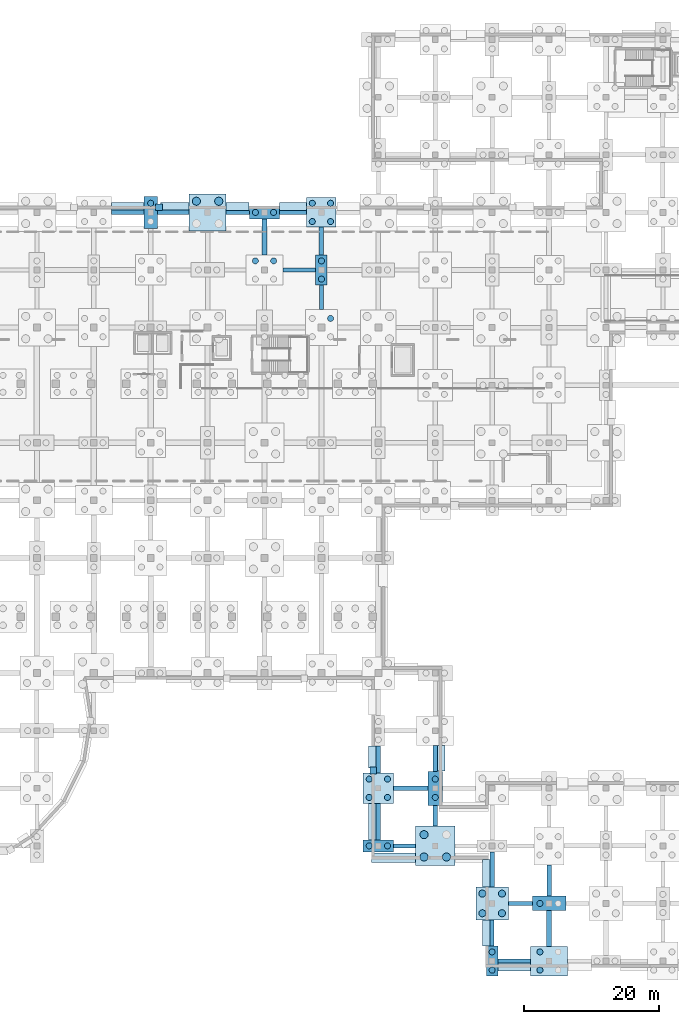
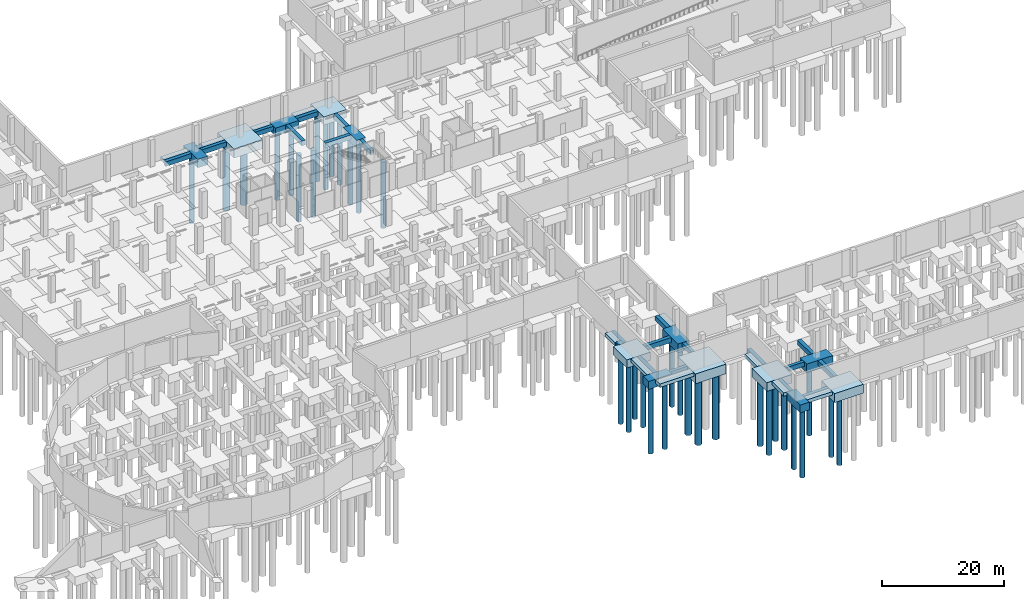
# One storey, part 11 of 34: 46 footings, 34 piles.
"""IFC4 building model written with IfcOpenShell, lengths in metres."""

from ifc_helpers import new_model, si_unit, direction, frame, origin, origin_2d, place, context, subcontext, project, spatial, rectangle, circle, extrude, material, material_profile, profile_set, type_object, element, save


model = new_model("IFC4")

# Units and contexts
model_context = context("Model", 3, precision=1e-05, world=origin(), true_north=direction((0.0, 1.0)))
body_context = subcontext(model_context, "Body", "Model", "MODEL_VIEW")
ifc_project = project(units=[si_unit("LENGTHUNIT", "METRE"), si_unit("AREAUNIT", "SQUARE_METRE"), si_unit("VOLUMEUNIT", "CUBIC_METRE"), si_unit("PLANEANGLEUNIT", "RADIAN"), si_unit("MASSUNIT", "GRAM", prefix="KILO")], contexts=[model_context])

# Site, building, storey
site_placement = place(None, origin())
site = spatial("IfcSite", under=ifc_project, at=site_placement, CompositionType="ELEMENT")
building_placement = place(site_placement, origin())
building = spatial("IfcBuilding", under=site, at=building_placement, Name="Solvento Point Concert Hall", CompositionType="ELEMENT")
storey_placement = place(building_placement, frame((0.0, 0.0, -5.39990234375)))
storey = spatial("IfcBuildingStorey", under=building, at=storey_placement, Name="B01", CompositionType="ELEMENT", Elevation=-5.39990234375)

# Piles
ifc_material_1 = material(Name="Concrete C40/50", Category="concrete")
ifc_material_profile_1 = material_profile(ifc_material_1, circle(Radius=0.52490234375, at=origin_2d()), Name="BP-1050")
ifc_profile_set_1 = profile_set([ifc_material_profile_1], Name="Concrete C40/50")
pile_type_1 = type_object("IfcPileType", Name="BoredPile_1050", PredefinedType="BORED", material=ifc_profile_set_1)
for number, where, z_axis, x_axis, name in (
    (1, (148.550048828125, 7.050048828125, -1.6201171875), (0.0, 0.0, -1.0), (1.0, 0.0, 0.0), "Bored pile BoredPile_1050 #517"),
    (2, (151.449951171875, 7.050048828125, -1.6201171875), (0.0, 0.0, -1.0), (1.0, 0.0, 0.0), "Bored pile BoredPile_1050 #518"),
    (3, (148.550048828125, 9.949951171875, -1.6201171875), (0.0, 0.0, -1.0), (1.0, 0.0, 0.0), "Bored pile BoredPile_1050 #519"),
    (4, (151.449951171875, 9.949951171875, -1.6201171875), (0.0, 0.0, -1.0), (1.0, 0.0, 0.0), "Bored pile BoredPile_1050 #520"),
):
    element("IfcPile", number, at=place(storey_placement, frame(where, z_axis=z_axis, x_axis=x_axis)), inside=storey, type_object=pile_type_1, Name=name, PredefinedType="BORED", context=body_context, shape_type="SweptSolid", body=[
        extrude(circle(Radius=0.52490234375, at=origin_2d()), origin(), (0.0, 0.0, 1.0), 13.47998046875),
    ])
ifc_material_2 = material(Name="Concrete C40/50", Category="concrete")
ifc_material_profile_2 = material_profile(ifc_material_2, circle(Radius=0.60009765625, at=origin_2d()), Name="BP-1200")
ifc_profile_set_2 = profile_set([ifc_material_profile_2], Name="Concrete C40/50")
pile_type_2 = type_object("IfcPileType", Name="BoredPile_1200", PredefinedType="BORED", material=ifc_profile_set_2)
for number, where, z_axis, x_axis, name in (
    (5, (106.35009765625, 112.14990234375, -1.75), (0.0, 0.0, -1.0), (1.0, 0.0, 0.0), "Bored pile BoredPile_1200 #393"),
    (6, (109.64990234375, 112.14990234375, -1.75), (0.0, 0.0, -1.0), (1.0, 0.0, 0.0), "Bored pile BoredPile_1200 #394"),
):
    element("IfcPile", number, at=place(storey_placement, frame(where, z_axis=z_axis, x_axis=x_axis)), inside=storey, type_object=pile_type_2, Name=name, PredefinedType="BORED", context=body_context, shape_type="SweptSolid", body=[
        extrude(circle(Radius=0.60009765625, at=origin_2d()), origin(), (0.0, 0.0, 1.0), 13.35009765625),
    ])
for number, where, z_axis, x_axis, name in (
    (7, (139.949951171875, 15.35009765625, -1.85009765625), (0.0, 0.0, -1.0), (1.0, 0.0, 0.0), "Bored pile BoredPile_1200 #475"),
    (8, (143.25, 15.35009765625, -1.85009765625), (0.0, 0.0, -1.0), (1.0, 0.0, 0.0), "Bored pile BoredPile_1200 #476"),
    (9, (139.949951171875, 18.64990234375, -1.85009765625), (0.0, 0.0, -1.0), (1.0, 0.0, 0.0), "Bored pile BoredPile_1200 #477"),
):
    element("IfcPile", number, at=place(storey_placement, frame(where, z_axis=z_axis, x_axis=x_axis)), inside=storey, type_object=pile_type_2, Name=name, PredefinedType="BORED", context=body_context, shape_type="SweptSolid", body=[
        extrude(circle(Radius=0.60009765625, at=origin_2d()), origin(), (0.0, 0.0, 1.0), 13.25),
    ])
ifc_material_3 = material(Name="Concrete C40/50", Category="concrete")
ifc_material_profile_3 = material_profile(ifc_material_3, circle(Radius=0.449951171875, at=origin_2d()), Name="BP-900")
ifc_profile_set_3 = profile_set([ifc_material_profile_3], Name="Concrete C40/50")
pile_type_3 = type_object("IfcPileType", Name="BoredPile_900", PredefinedType="BORED", material=ifc_profile_set_3)
pile_1_placement = place(storey_placement, frame((99.60009765625, 111.85009765625, -1.580078125), z_axis=(0.0, 0.0, -1.0), x_axis=(1.0, 0.0, 0.0)))
element("IfcPile", 10, at=pile_1_placement, inside=storey, type_object=pile_type_3, Name="Bored pile BoredPile_900 #372", PredefinedType="BORED", context=body_context, shape_type="SweptSolid", body=[
    extrude(circle(Radius=0.449951171875, at=origin_2d()), origin(), (0.0, 0.0, 1.0), 13.52001953125),
])
for number, where, z_axis, x_axis, name in (
    (11, (115.050048828125, 103.35009765625, -1.68017578125), (0.0, 0.0, -1.0), (1.0, 0.0, 0.0), "Bored pile BoredPile_900 #411"),
    (12, (117.75, 103.35009765625, -1.68017578125), (0.0, 0.0, -1.0), (1.0, 0.0, 0.0), "Bored pile BoredPile_900 #412"),
):
    element("IfcPile", number, at=place(storey_placement, frame(where, z_axis=z_axis, x_axis=x_axis)), inside=storey, type_object=pile_type_3, Name=name, PredefinedType="BORED", context=body_context, shape_type="SweptSolid", body=[
        extrude(circle(Radius=0.449951171875, at=origin_2d()), origin(), (0.0, 0.0, 1.0), 13.419921875),
    ])
for number, where, z_axis, x_axis, name in (
    (13, (115.050048828125, 110.5, -1.5400390625), (0.0, 0.0, -1.0), (1.0, 0.0, 0.0), "Bored pile BoredPile_900 #413"),
    (14, (117.75, 110.5, -1.5400390625), (0.0, 0.0, -1.0), (1.0, 0.0, 0.0), "Bored pile BoredPile_900 #414"),
):
    element("IfcPile", number, at=place(storey_placement, frame(where, z_axis=z_axis, x_axis=x_axis)), inside=storey, type_object=pile_type_3, Name=name, PredefinedType="BORED", context=body_context, shape_type="SweptSolid", body=[
        extrude(circle(Radius=0.449951171875, at=origin_2d()), origin(), (0.0, 0.0, 1.0), 13.56005859375),
    ])
pile_2_placement = place(storey_placement, frame((126.14990234375, 94.85009765625, -1.760009765625), z_axis=(0.0, 0.0, -1.0), x_axis=(1.0, 0.0, 0.0)))
element("IfcPile", 15, at=pile_2_placement, inside=storey, type_object=pile_type_3, Name="Bored pile BoredPile_900 #430", PredefinedType="BORED", context=body_context, shape_type="SweptSolid", body=[
    extrude(circle(Radius=0.449951171875, at=origin_2d()), origin(), (0.0, 0.0, 1.0), 13.340087890625),
])
for number, where, z_axis, x_axis, name in (
    (16, (124.800048828125, 100.64990234375, -1.47998046875), (0.0, 0.0, -1.0), (1.0, 0.0, 0.0), "Bored pile BoredPile_900 #431"),
    (17, (124.800048828125, 103.35009765625, -1.47998046875), (0.0, 0.0, -1.0), (1.0, 0.0, 0.0), "Bored pile BoredPile_900 #432"),
):
    element("IfcPile", number, at=place(storey_placement, frame(where, z_axis=z_axis, x_axis=x_axis)), inside=storey, type_object=pile_type_3, Name=name, PredefinedType="BORED", context=body_context, shape_type="SweptSolid", body=[
        extrude(circle(Radius=0.449951171875, at=origin_2d()), origin(), (0.0, 0.0, 1.0), 13.6201171875),
    ])
for number, where, z_axis, x_axis, name in (
    (18, (123.449951171875, 109.14990234375, -1.5), (0.0, 0.0, -1.0), (1.0, 0.0, 0.0), "Bored pile BoredPile_900 #433"),
    (19, (126.14990234375, 109.14990234375, -1.5), (0.0, 0.0, -1.0), (1.0, 0.0, 0.0), "Bored pile BoredPile_900 #434"),
    (20, (123.449951171875, 111.85009765625, -1.5), (0.0, 0.0, -1.0), (1.0, 0.0, 0.0), "Bored pile BoredPile_900 #435"),
    (21, (126.14990234375, 111.85009765625, -1.5), (0.0, 0.0, -1.0), (1.0, 0.0, 0.0), "Bored pile BoredPile_900 #436"),
    (22, (131.85009765625, 17.0, -1.5), (0.0, 0.0, -1.0), (1.0, 0.0, 0.0), "Bored pile BoredPile_900 #437"),
    (23, (134.550048828125, 17.0, -1.5), (0.0, 0.0, -1.0), (1.0, 0.0, 0.0), "Bored pile BoredPile_900 #438"),
):
    element("IfcPile", number, at=place(storey_placement, frame(where, z_axis=z_axis, x_axis=x_axis)), inside=storey, type_object=pile_type_3, Name=name, PredefinedType="BORED", context=body_context, shape_type="SweptSolid", body=[
        extrude(circle(Radius=0.449951171875, at=origin_2d()), origin(), (0.0, 0.0, 1.0), 13.60009765625),
    ])
for number, where, z_axis, x_axis, name in (
    (24, (131.85009765625, 24.14990234375, -1.550048828125), (0.0, 0.0, -1.0), (1.0, 0.0, 0.0), "Bored pile BoredPile_900 #439"),
    (25, (134.550048828125, 24.14990234375, -1.550048828125), (0.0, 0.0, -1.0), (1.0, 0.0, 0.0), "Bored pile BoredPile_900 #440"),
    (26, (131.85009765625, 26.85009765625, -1.550048828125), (0.0, 0.0, -1.0), (1.0, 0.0, 0.0), "Bored pile BoredPile_900 #441"),
    (27, (134.550048828125, 26.85009765625, -1.550048828125), (0.0, 0.0, -1.0), (1.0, 0.0, 0.0), "Bored pile BoredPile_900 #442"),
):
    element("IfcPile", number, at=place(storey_placement, frame(where, z_axis=z_axis, x_axis=x_axis)), inside=storey, type_object=pile_type_3, Name=name, PredefinedType="BORED", context=body_context, shape_type="SweptSolid", body=[
        extrude(circle(Radius=0.449951171875, at=origin_2d()), origin(), (0.0, 0.0, 1.0), 13.550048828125),
    ])
for number, where, z_axis, x_axis, name in (
    (28, (141.60009765625, 24.14990234375, -1.68017578125), (0.0, 0.0, -1.0), (1.0, 0.0, 0.0), "Bored pile BoredPile_900 #479"),
    (29, (141.60009765625, 26.85009765625, -1.68017578125), (0.0, 0.0, -1.0), (1.0, 0.0, 0.0), "Bored pile BoredPile_900 #480"),
):
    element("IfcPile", number, at=place(storey_placement, frame(where, z_axis=z_axis, x_axis=x_axis)), inside=storey, type_object=pile_type_3, Name=name, PredefinedType="BORED", context=body_context, shape_type="SweptSolid", body=[
        extrude(circle(Radius=0.449951171875, at=origin_2d()), origin(), (0.0, 0.0, 1.0), 13.419921875),
    ])
for number, where, z_axis, x_axis, name in (
    (30, (150.0, -1.35009765625, -1.47998046875), (0.0, 0.0, -1.0), (1.0, 0.0, 0.0), "Bored pile BoredPile_900 #515"),
    (31, (150.0, 1.35009765625, -1.47998046875), (0.0, 0.0, -1.0), (1.0, 0.0, 0.0), "Bored pile BoredPile_900 #516"),
):
    element("IfcPile", number, at=place(storey_placement, frame(where, z_axis=z_axis, x_axis=x_axis)), inside=storey, type_object=pile_type_3, Name=name, PredefinedType="BORED", context=body_context, shape_type="SweptSolid", body=[
        extrude(circle(Radius=0.449951171875, at=origin_2d()), origin(), (0.0, 0.0, 1.0), 13.6201171875),
    ])
for number, where, z_axis, x_axis, name in (
    (32, (157.050048828125, -1.35009765625, -1.68017578125), (0.0, 0.0, -1.0), (1.0, 0.0, 0.0), "Bored pile BoredPile_900 #553"),
    (33, (157.050048828125, 1.35009765625, -1.68017578125), (0.0, 0.0, -1.0), (1.0, 0.0, 0.0), "Bored pile BoredPile_900 #555"),
):
    element("IfcPile", number, at=place(storey_placement, frame(where, z_axis=z_axis, x_axis=x_axis)), inside=storey, type_object=pile_type_3, Name=name, PredefinedType="BORED", context=body_context, shape_type="SweptSolid", body=[
        extrude(circle(Radius=0.449951171875, at=origin_2d()), origin(), (0.0, 0.0, 1.0), 13.419921875),
    ])
pile_3_placement = place(storey_placement, frame((157.050048828125, 8.5, -1.650146484375), z_axis=(0.0, 0.0, -1.0), x_axis=(1.0, 0.0, 0.0)))
element("IfcPile", 34, at=pile_3_placement, inside=storey, type_object=pile_type_3, Name="Bored pile BoredPile_900 #557", PredefinedType="BORED", context=body_context, shape_type="SweptSolid", body=[
    extrude(circle(Radius=0.449951171875, at=origin_2d()), origin(), (0.0, 0.0, 1.0), 13.449951171875),
])

# Footings
ifc_material_4 = material(Name="Concrete C40/50", Category="concrete")
footing_type_1 = type_object("IfcFootingType", Name="PileCap_2B", PredefinedType="PILE_CAP", material=ifc_material_4)
for number, where, z_axis, x_axis, name in (
    (35, (124.800048828125, 102.0, -1.580078125), (0.0, 0.0, 1.0), (1.0, 0.0, 0.0), "Pile cap PC-2B at G-16-N"),
    (36, (150.0, 0.0, -1.580078125), (0.0, 0.0, 1.0), (1.0, 0.0, 0.0), "Pile cap PC-2B at G-19-A"),
):
    element("IfcFooting", number, at=place(storey_placement, frame(where, z_axis=z_axis, x_axis=x_axis)), inside=storey, type_object=footing_type_1, Name=name, PredefinedType="PILE_CAP", context=body_context, shape_type="SweptSolid", body=[
        extrude(rectangle(XDim=1.719970703125, YDim=4.3798828125, at=origin_2d()), origin(), (0.0, 0.0, 1.0), 1.580078125),
    ])
ifc_material_5 = material(Name="Concrete C40/50", Category="concrete")
footing_type_2 = type_object("IfcFootingType", Name="PileCap_2C", PredefinedType="PILE_CAP", material=ifc_material_5)
footing_1_placement = place(storey_placement, frame((133.199951171875, 17.0, -1.60009765625), z_axis=(0.0, 0.0, 1.0), x_axis=(1.0, 0.0, 0.0)))
element("IfcFooting", 37, at=footing_1_placement, inside=storey, type_object=footing_type_2, Name="Pile cap PC-2C at G-17-C", PredefinedType="PILE_CAP", context=body_context, shape_type="SweptSolid", body=[
    extrude(rectangle(XDim=4.4599609375, YDim=1.780029296875, at=origin_2d()), origin(), (0.0, 0.0, 1.0), 1.60009765625),
])
ifc_material_6 = material(Name="Concrete C40/50", Category="concrete")
footing_type_3 = type_object("IfcFootingType", Name="PileCap_2F", PredefinedType="PILE_CAP", material=ifc_material_6)
footing_2_placement = place(storey_placement, frame((99.60009765625, 110.5, -1.68017578125), z_axis=(0.0, 0.0, 1.0), x_axis=(1.0, 0.0, 0.0)))
element("IfcFooting", 38, at=footing_2_placement, inside=storey, type_object=footing_type_3, Name="Pile cap PC-2F at G-13-P", PredefinedType="PILE_CAP", context=body_context, shape_type="SweptSolid", body=[
    extrude(rectangle(XDim=1.9599609375, YDim=4.699951171875, at=origin_2d()), origin(), (0.0, 0.0, 1.0), 1.679931640625),
])
ifc_material_7 = material(Name="Concrete C40/50", Category="concrete")
footing_type_4 = type_object("IfcFootingType", Name="PileCap_2J", PredefinedType="PILE_CAP", material=ifc_material_7)
footing_3_placement = place(storey_placement, frame((158.39990234375, 8.5, -1.75), z_axis=(0.0, 0.0, 1.0), x_axis=(1.0, 0.0, 0.0)))
element("IfcFooting", 39, at=footing_3_placement, inside=storey, type_object=footing_type_4, Name="Pile cap PC-2J at G-20-B", PredefinedType="PILE_CAP", context=body_context, shape_type="SweptSolid", body=[
    extrude(rectangle(XDim=4.93994140625, YDim=2.139892578125, at=origin_2d()), origin(), (0.0, 0.0, 1.0), 1.75),
])
ifc_material_8 = material(Name="Concrete C40/50", Category="concrete")
footing_type_5 = type_object("IfcFootingType", Name="PileCap_2K", PredefinedType="PILE_CAP", material=ifc_material_8)
footing_4_placement = place(storey_placement, frame((141.60009765625, 25.5, -1.7802734375), z_axis=(0.0, 0.0, 1.0), x_axis=(1.0, 0.0, 0.0)))
element("IfcFooting", 40, at=footing_4_placement, inside=storey, type_object=footing_type_5, Name="Pile cap PC-2K at G-18-D", PredefinedType="PILE_CAP", context=body_context, shape_type="SweptSolid", body=[
    extrude(rectangle(XDim=2.199951171875, YDim=5.02001953125, at=origin_2d()), origin(), (0.0, 0.0, 1.0), 1.780029296875),
])
ifc_material_9 = material(Name="Concrete C40/50", Category="concrete")
footing_type_6 = type_object("IfcFootingType", Name="PileCap_2N", PredefinedType="PILE_CAP", material=ifc_material_9)
footing_5_placement = place(storey_placement, frame((116.39990234375, 110.5, -1.64013671875), z_axis=(0.0, 0.0, 1.0), x_axis=(1.0, 0.0, 0.0)))
element("IfcFooting", 41, at=footing_5_placement, inside=storey, type_object=footing_type_6, Name="Pile cap PC-2N at G-15-P", PredefinedType="PILE_CAP", context=body_context, shape_type="SweptSolid", body=[
    extrude(rectangle(XDim=4.39990234375, YDim=1.93994140625, at=origin_2d()), origin(), (0.0, 0.0, 1.0), 1.639892578125),
])
ifc_material_10 = material(Name="Concrete C40/50", Category="concrete")
footing_type_7 = type_object("IfcFootingType", Name="PileCap_4A", PredefinedType="PILE_CAP", material=ifc_material_10)
footing_6_placement = place(storey_placement, frame((124.800048828125, 110.5, -1.60009765625), z_axis=(0.0, 0.0, 1.0), x_axis=(1.0, 0.0, 0.0)))
element("IfcFooting", 42, at=footing_6_placement, inside=storey, type_object=footing_type_7, Name="Pile cap PC-4A at G-16-P", PredefinedType="PILE_CAP", context=body_context, shape_type="SweptSolid", body=[
    extrude(rectangle(XDim=4.35009765625, YDim=4.35009765625, at=origin_2d()), origin(), (0.0, 0.0, 1.0), 1.60009765625),
])
ifc_material_11 = material(Name="Concrete C40/50", Category="concrete")
footing_type_8 = type_object("IfcFootingType", Name="PileCap_4B", PredefinedType="PILE_CAP", material=ifc_material_11)
footing_7_placement = place(storey_placement, frame((133.199951171875, 25.5, -1.650146484375), z_axis=(0.0, 0.0, 1.0), x_axis=(1.0, 0.0, 0.0)))
element("IfcFooting", 43, at=footing_7_placement, inside=storey, type_object=footing_type_8, Name="Pile cap PC-4B at G-17-D", PredefinedType="PILE_CAP", context=body_context, shape_type="SweptSolid", body=[
    extrude(rectangle(XDim=4.5, YDim=4.5, at=origin_2d()), origin(), (0.0, 0.0, 1.0), 1.64990234375),
])
ifc_material_12 = material(Name="Concrete C40/50", Category="concrete")
footing_type_9 = type_object("IfcFootingType", Name="PileCap_4C", PredefinedType="PILE_CAP", material=ifc_material_12)
footing_8_placement = place(storey_placement, frame((150.0, 8.5, -1.72021484375), z_axis=(0.0, 0.0, 1.0), x_axis=(1.0, 0.0, 0.0)))
element("IfcFooting", 44, at=footing_8_placement, inside=storey, type_object=footing_type_9, Name="Pile cap PC-4C at G-19-B", PredefinedType="PILE_CAP", context=body_context, shape_type="SweptSolid", body=[
    extrude(rectangle(XDim=4.820068359375, YDim=4.820068359375, at=origin_2d()), origin(), (0.0, 0.0, 1.0), 1.719970703125),
])
ifc_material_13 = material(Name="Concrete C40/50", Category="concrete")
footing_type_10 = type_object("IfcFootingType", Name="PileCap_4F", PredefinedType="PILE_CAP", material=ifc_material_13)
footing_9_placement = place(storey_placement, frame((108.0, 110.5, -1.85009765625), z_axis=(0.0, 0.0, 1.0), x_axis=(1.0, 0.0, 0.0)))
element("IfcFooting", 45, at=footing_9_placement, inside=storey, type_object=footing_type_10, Name="Pile cap PC-4F at G-14-P", PredefinedType="PILE_CAP", context=body_context, shape_type="SweptSolid", body=[
    extrude(rectangle(XDim=5.43994140625, YDim=5.43994140625, at=origin_2d()), origin(), (0.0, 0.0, 1.0), 1.85009765625),
])
ifc_material_14 = material(Name="Concrete C40/50", Category="concrete")
footing_type_11 = type_object("IfcFootingType", Name="PileCap_4H", PredefinedType="PILE_CAP", material=ifc_material_14)
footing_10_placement = place(storey_placement, frame((141.60009765625, 17.0, -1.9501953125), z_axis=(0.0, 0.0, 1.0), x_axis=(1.0, 0.0, 0.0)))
element("IfcFooting", 46, at=footing_10_placement, inside=storey, type_object=footing_type_11, Name="Pile cap PC-4H at G-18-C", PredefinedType="PILE_CAP", context=body_context, shape_type="SweptSolid", body=[
    extrude(rectangle(XDim=5.800048828125, YDim=5.800048828125, at=origin_2d()), origin(), (0.0, 0.0, 1.0), 1.949951171875),
])
ifc_material_15 = material(Name="Concrete C40/50", Category="concrete")
footing_type_12 = type_object("IfcFootingType", Name="PileCap_4J", PredefinedType="PILE_CAP", material=ifc_material_15)
footing_11_placement = place(storey_placement, frame((158.39990234375, 0.0, -1.7802734375), z_axis=(0.0, 0.0, 1.0), x_axis=(1.0, 0.0, 0.0)))
element("IfcFooting", 47, at=footing_11_placement, inside=storey, type_object=footing_type_12, Name="Pile cap PC-4J at G-20-A", PredefinedType="PILE_CAP", context=body_context, shape_type="SweptSolid", body=[
    extrude(rectangle(XDim=5.4599609375, YDim=4.360107421875, at=origin_2d()), origin(), (0.0, 0.0, 1.0), 1.780029296875),
])
ifc_material_16 = material(Name="Concrete C40/50", Category="concrete")
footing_type_13 = type_object("IfcFootingType", Name="StripFooting_1400x700", PredefinedType="STRIP_FOOTING", material=ifc_material_16)
footing_12_placement = place(storey_placement, frame((96.199951171875, 111.2548828125, -0.7001953125), z_axis=(0.0, 0.0, 1.0), x_axis=(1.0, 0.0, 0.0)))
element("IfcFooting", 48, at=footing_12_placement, inside=storey, type_object=footing_type_13, Name="Strip footing SF-02", PredefinedType="STRIP_FOOTING", context=body_context, shape_type="SweptSolid", body=[
    extrude(rectangle(XDim=4.820068359375, YDim=1.39990234375, at=origin_2d()), origin(), (0.0, 0.0, 1.0), 0.699951171875),
])
footing_13_placement = place(storey_placement, frame((100.80859375, 111.2548828125, -0.7001953125), z_axis=(0.0, 0.0, 1.0), x_axis=(1.0, 0.0, 0.0)))
element("IfcFooting", 49, at=footing_13_placement, inside=storey, type_object=footing_type_13, Name="Strip footing SF-02", PredefinedType="STRIP_FOOTING", context=body_context, shape_type="SweptSolid", body=[
    extrude(rectangle(XDim=1.0, YDim=1.0, at=origin_2d()), origin(), (0.0, 0.0, 1.0), 0.699951171875),
])
footing_14_placement = place(storey_placement, frame((103.153564453125, 111.2548828125, -0.7001953125), z_axis=(0.0, 0.0, 1.0), x_axis=(1.0, 0.0, 0.0)))
element("IfcFooting", 50, at=footing_14_placement, inside=storey, type_object=footing_type_13, Name="Strip footing SF-02", PredefinedType="STRIP_FOOTING", context=body_context, shape_type="SweptSolid", body=[
    extrude(rectangle(XDim=4.23291015625, YDim=1.39990234375, at=origin_2d()), origin(), (0.0, 0.0, 1.0), 0.699951171875),
])
footing_15_placement = place(storey_placement, frame((112.40283203125, 111.2548828125, -0.7001953125), z_axis=(0.0, 0.0, 1.0), x_axis=(1.0, 0.0, 0.0)))
element("IfcFooting", 51, at=footing_15_placement, inside=storey, type_object=footing_type_13, Name="Strip footing SF-02", PredefinedType="STRIP_FOOTING", context=body_context, shape_type="SweptSolid", body=[
    extrude(rectangle(XDim=3.345703125, YDim=1.39990234375, at=origin_2d()), origin(), (0.0, 0.0, 1.0), 0.699951171875),
])
footing_16_placement = place(storey_placement, frame((120.612548828125, 111.2548828125, -0.7001953125), z_axis=(0.0, 0.0, 1.0), x_axis=(1.0, 0.0, 0.0)))
element("IfcFooting", 52, at=footing_16_placement, inside=storey, type_object=footing_type_13, Name="Strip footing SF-02", PredefinedType="STRIP_FOOTING", context=body_context, shape_type="SweptSolid", body=[
    extrude(rectangle(XDim=4.0048828125, YDim=1.39990234375, at=origin_2d()), origin(), (0.0, 0.0, 1.0), 0.699951171875),
])
footing_17_placement = place(storey_placement, frame((142.35498046875, 29.9150390625, -0.7001953125), z_axis=(0.0, 0.0, 1.0), x_axis=(0.0, -1.0, 0.0)))
element("IfcFooting", 53, at=footing_17_placement, inside=storey, type_object=footing_type_13, Name="Strip footing SF-02", PredefinedType="STRIP_FOOTING", context=body_context, shape_type="SweptSolid", body=[
    extrude(rectangle(XDim=3.7900390625, YDim=1.39990234375, at=origin_2d()), origin(), (0.0, 0.0, 1.0), 0.699951171875),
])
footing_18_placement = place(storey_placement, frame((153.264892578125, -0.7548828125, -0.7001953125), z_axis=(0.0, 0.0, 1.0), x_axis=(-1.0, 0.0, 0.0)))
element("IfcFooting", 54, at=footing_18_placement, inside=storey, type_object=footing_type_13, Name="Strip footing SF-02", PredefinedType="STRIP_FOOTING", context=body_context, shape_type="SweptSolid", body=[
    extrude(rectangle(XDim=4.7900390625, YDim=1.39990234375, at=origin_2d()), origin(), (0.0, 0.0, 1.0), 0.699951171875),
])
footing_19_placement = place(storey_placement, frame((149.2451171875, 4.139892578125, -0.7001953125), z_axis=(0.0, 0.0, 1.0), x_axis=(0.0, 1.0, 0.0)))
element("IfcFooting", 55, at=footing_19_placement, inside=storey, type_object=footing_type_13, Name="Strip footing SF-02", PredefinedType="STRIP_FOOTING", context=body_context, shape_type="SweptSolid", body=[
    extrude(rectangle(XDim=3.8798828125, YDim=1.39990234375, at=origin_2d()), origin(), (0.0, 0.0, 1.0), 0.699951171875),
])
footing_20_placement = place(storey_placement, frame((149.2451171875, 12.969970703125, -0.7001953125), z_axis=(0.0, 0.0, 1.0), x_axis=(0.0, 1.0, 0.0)))
element("IfcFooting", 56, at=footing_20_placement, inside=storey, type_object=footing_type_13, Name="Strip footing SF-02", PredefinedType="STRIP_FOOTING", context=body_context, shape_type="SweptSolid", body=[
    extrude(rectangle(XDim=4.10009765625, YDim=1.39990234375, at=origin_2d()), origin(), (0.0, 0.0, 1.0), 0.699951171875),
])
footing_21_placement = place(storey_placement, frame((135.455078125, 15.2451171875, -0.7001953125), z_axis=(0.0, 0.0, 1.0), x_axis=(-1.0, 0.0, 0.0)))
element("IfcFooting", 57, at=footing_21_placement, inside=storey, type_object=footing_type_13, Name="Strip footing SF-02", PredefinedType="STRIP_FOOTING", context=body_context, shape_type="SweptSolid", body=[
    extrude(rectangle(XDim=6.469970703125, YDim=1.39990234375, at=origin_2d()), origin(), (0.0, 0.0, 1.0), 0.699951171875),
])
footing_22_placement = place(storey_placement, frame((132.445068359375, 20.570068359375, -0.7001953125), z_axis=(0.0, 0.0, 1.0), x_axis=(0.0, 1.0, 0.0)))
element("IfcFooting", 58, at=footing_22_placement, inside=storey, type_object=footing_type_13, Name="Strip footing SF-02", PredefinedType="STRIP_FOOTING", context=body_context, shape_type="SweptSolid", body=[
    extrude(rectangle(XDim=5.340087890625, YDim=1.39990234375, at=origin_2d()), origin(), (0.0, 0.0, 1.0), 0.699951171875),
])
footing_23_placement = place(storey_placement, frame((132.445068359375, 28.12744140625, -0.7001953125), z_axis=(0.0, 0.0, 1.0), x_axis=(0.0, 1.0, 0.0)))
element("IfcFooting", 59, at=footing_23_placement, inside=storey, type_object=footing_type_13, Name="Strip footing SF-02", PredefinedType="STRIP_FOOTING", context=body_context, shape_type="SweptSolid", body=[
    extrude(rectangle(XDim=1.0, YDim=1.0, at=origin_2d()), origin(), (0.0, 0.0, 1.0), 0.699951171875),
])
footing_24_placement = place(storey_placement, frame((132.445068359375, 30.112548828125, -0.7001953125), z_axis=(0.0, 0.0, 1.0), x_axis=(0.0, 1.0, 0.0)))
element("IfcFooting", 60, at=footing_24_placement, inside=storey, type_object=footing_type_13, Name="Strip footing SF-02", PredefinedType="STRIP_FOOTING", context=body_context, shape_type="SweptSolid", body=[
    extrude(rectangle(XDim=3.215087890625, YDim=1.39990234375, at=origin_2d()), origin(), (0.0, 0.0, 1.0), 0.699951171875),
])
ifc_material_17 = material(Name="Concrete C40/50", Category="concrete")
footing_type_14 = type_object("IfcFootingType", Name="TieBeam_600x900", PredefinedType="FOOTING_BEAM", material=ifc_material_17)
footing_25_placement = place(storey_placement, frame((154.169921875, 8.5, -0.900146484375), z_axis=(0.0, 0.0, 1.0), x_axis=(1.0, 0.0, 0.0)))
element("IfcFooting", 61, at=footing_25_placement, inside=storey, type_object=footing_type_14, Name="Seismic tie beam GB-01", PredefinedType="FOOTING_BEAM", context=body_context, shape_type="SweptSolid", body=[
    extrude(rectangle(XDim=3.52001953125, YDim=0.60009765625, at=origin_2d()), origin(), (0.0, 0.0, 1.0), 0.89990234375),
])
footing_26_placement = place(storey_placement, frame((137.06494140625, 17.0, -0.900146484375), z_axis=(0.0, 0.0, 1.0), x_axis=(1.0, 0.0, 0.0)))
element("IfcFooting", 62, at=footing_26_placement, inside=storey, type_object=footing_type_14, Name="Seismic tie beam GB-01", PredefinedType="FOOTING_BEAM", context=body_context, shape_type="SweptSolid", body=[
    extrude(rectangle(XDim=3.27001953125, YDim=0.60009765625, at=origin_2d()), origin(), (0.0, 0.0, 1.0), 0.89990234375),
])
footing_27_placement = place(storey_placement, frame((112.4599609375, 110.5, -0.900146484375), z_axis=(0.0, 0.0, 1.0), x_axis=(1.0, 0.0, 0.0)))
element("IfcFooting", 63, at=footing_27_placement, inside=storey, type_object=footing_type_14, Name="Seismic tie beam GB-01", PredefinedType="FOOTING_BEAM", context=body_context, shape_type="SweptSolid", body=[
    extrude(rectangle(XDim=3.47998046875, YDim=0.60009765625, at=origin_2d()), origin(), (0.0, 0.0, 1.0), 0.89990234375),
])
footing_28_placement = place(storey_placement, frame((141.60009765625, 21.445068359375, -0.900146484375), z_axis=(0.0, 0.0, 1.0), x_axis=(0.0, 1.0, 0.0)))
element("IfcFooting", 64, at=footing_28_placement, inside=storey, type_object=footing_type_14, Name="Seismic tie beam GB-01", PredefinedType="FOOTING_BEAM", context=body_context, shape_type="SweptSolid", body=[
    extrude(rectangle(XDim=3.090087890625, YDim=0.60009765625, at=origin_2d()), origin(), (0.0, 0.0, 1.0), 0.89990234375),
])
ifc_material_18 = material(Name="Concrete C40/50", Category="concrete")
footing_type_15 = type_object("IfcFootingType", Name="TieBeam_620x920", PredefinedType="FOOTING_BEAM", material=ifc_material_18)
footing_29_placement = place(storey_placement, frame((120.612548828125, 110.5, -0.920166015625), z_axis=(0.0, 0.0, 1.0), x_axis=(1.0, 0.0, 0.0)))
element("IfcFooting", 65, at=footing_29_placement, inside=storey, type_object=footing_type_15, Name="Seismic tie beam GB-02", PredefinedType="FOOTING_BEAM", context=body_context, shape_type="SweptSolid", body=[
    extrude(rectangle(XDim=4.02490234375, YDim=0.6201171875, at=origin_2d()), origin(), (0.0, 0.0, 1.0), 0.919921875),
])
footing_30_placement = place(storey_placement, frame((124.800048828125, 97.97998046875, -0.920166015625), z_axis=(0.0, 0.0, 1.0), x_axis=(0.0, 1.0, 0.0)))
element("IfcFooting", 66, at=footing_30_placement, inside=storey, type_object=footing_type_15, Name="Seismic tie beam GB-02", PredefinedType="FOOTING_BEAM", context=body_context, shape_type="SweptSolid", body=[
    extrude(rectangle(XDim=3.659912109375, YDim=0.6201171875, at=origin_2d()), origin(), (0.0, 0.0, 1.0), 0.919921875),
])
footing_31_placement = place(storey_placement, frame((133.199951171875, 29.739990234375, -0.920166015625), z_axis=(0.0, 0.0, 1.0), x_axis=(0.0, 1.0, 0.0)))
element("IfcFooting", 67, at=footing_31_placement, inside=storey, type_object=footing_type_15, Name="Seismic tie beam GB-02", PredefinedType="FOOTING_BEAM", context=body_context, shape_type="SweptSolid", body=[
    extrude(rectangle(XDim=3.97998046875, YDim=0.6201171875, at=origin_2d()), origin(), (0.0, 0.0, 1.0), 0.919921875),
])
footing_32_placement = place(storey_placement, frame((141.60009765625, 29.9150390625, -0.920166015625), z_axis=(0.0, 0.0, 1.0), x_axis=(0.0, 1.0, 0.0)))
element("IfcFooting", 68, at=footing_32_placement, inside=storey, type_object=footing_type_15, Name="Seismic tie beam GB-02", PredefinedType="FOOTING_BEAM", context=body_context, shape_type="SweptSolid", body=[
    extrude(rectangle(XDim=3.81005859375, YDim=0.6201171875, at=origin_2d()), origin(), (0.0, 0.0, 1.0), 0.919921875),
])
footing_33_placement = place(storey_placement, frame((150.0, 4.139892578125, -0.920166015625), z_axis=(0.0, 0.0, 1.0), x_axis=(0.0, 1.0, 0.0)))
element("IfcFooting", 69, at=footing_33_placement, inside=storey, type_object=footing_type_15, Name="Seismic tie beam GB-02", PredefinedType="FOOTING_BEAM", context=body_context, shape_type="SweptSolid", body=[
    extrude(rectangle(XDim=3.89990234375, YDim=0.6201171875, at=origin_2d()), origin(), (0.0, 0.0, 1.0), 0.919921875),
])
ifc_material_19 = material(Name="Concrete C40/50", Category="concrete")
footing_type_16 = type_object("IfcFootingType", Name="TieBeam_650x950", PredefinedType="FOOTING_BEAM", material=ifc_material_19)
for number, where, z_axis, x_axis, name in (
    (70, (153.264892578125, 0.0, -0.9501953125), (0.0, 0.0, 1.0), (1.0, 0.0, 0.0), "Seismic tie beam GB-03"),
    (71, (121.534912109375, 102.0, -0.9501953125), (0.0, 0.0, 1.0), (1.0, 0.0, 0.0), "Seismic tie beam GB-03"),
):
    element("IfcFooting", number, at=place(storey_placement, frame(where, z_axis=z_axis, x_axis=x_axis)), inside=storey, type_object=footing_type_16, Name=name, PredefinedType="FOOTING_BEAM", context=body_context, shape_type="SweptSolid", body=[
        extrude(rectangle(XDim=4.81005859375, YDim=0.64990234375, at=origin_2d()), origin(), (0.0, 0.0, 1.0), 0.949951171875),
    ])
footing_34_placement = place(storey_placement, frame((96.199951171875, 110.5, -0.9501953125), z_axis=(0.0, 0.0, 1.0), x_axis=(1.0, 0.0, 0.0)))
element("IfcFooting", 72, at=footing_34_placement, inside=storey, type_object=footing_type_16, Name="Seismic tie beam GB-03", PredefinedType="FOOTING_BEAM", context=body_context, shape_type="SweptSolid", body=[
    extrude(rectangle(XDim=4.840087890625, YDim=0.64990234375, at=origin_2d()), origin(), (0.0, 0.0, 1.0), 0.949951171875),
])
footing_35_placement = place(storey_placement, frame((102.929931640625, 110.5, -0.9501953125), z_axis=(0.0, 0.0, 1.0), x_axis=(1.0, 0.0, 0.0)))
element("IfcFooting", 73, at=footing_35_placement, inside=storey, type_object=footing_type_16, Name="Seismic tie beam GB-03", PredefinedType="FOOTING_BEAM", context=body_context, shape_type="SweptSolid", body=[
    extrude(rectangle(XDim=4.699951171875, YDim=0.64990234375, at=origin_2d()), origin(), (0.0, 0.0, 1.0), 0.949951171875),
])
footing_36_placement = place(storey_placement, frame((124.800048828125, 106.257568359375, -0.9501953125), z_axis=(0.0, 0.0, 1.0), x_axis=(0.0, 1.0, 0.0)))
element("IfcFooting", 74, at=footing_36_placement, inside=storey, type_object=footing_type_16, Name="Seismic tie beam GB-03", PredefinedType="FOOTING_BEAM", context=body_context, shape_type="SweptSolid", body=[
    extrude(rectangle(XDim=4.135009765625, YDim=0.64990234375, at=origin_2d()), origin(), (0.0, 0.0, 1.0), 0.949951171875),
])
footing_37_placement = place(storey_placement, frame((158.39990234375, 11.885009765625, -0.9501953125), z_axis=(0.0, 0.0, 1.0), x_axis=(0.0, 1.0, 0.0)))
element("IfcFooting", 75, at=footing_37_placement, inside=storey, type_object=footing_type_16, Name="Seismic tie beam GB-03", PredefinedType="FOOTING_BEAM", context=body_context, shape_type="SweptSolid", body=[
    extrude(rectangle(XDim=4.6298828125, YDim=0.64990234375, at=origin_2d()), origin(), (0.0, 0.0, 1.0), 0.949951171875),
])
ifc_material_20 = material(Name="Concrete C40/50", Category="concrete")
footing_type_17 = type_object("IfcFootingType", Name="TieBeam_680x980", PredefinedType="FOOTING_BEAM", material=ifc_material_20)
footing_38_placement = place(storey_placement, frame((137.97509765625, 25.5, -0.97998046875), z_axis=(0.0, 0.0, 1.0), x_axis=(1.0, 0.0, 0.0)))
element("IfcFooting", 76, at=footing_38_placement, inside=storey, type_object=footing_type_17, Name="Seismic tie beam GB-04", PredefinedType="FOOTING_BEAM", context=body_context, shape_type="SweptSolid", body=[
    extrude(rectangle(XDim=5.050048828125, YDim=0.679931640625, at=origin_2d()), origin(), (0.0, 0.0, 1.0), 0.97998046875),
])
footing_39_placement = place(storey_placement, frame((116.39990234375, 106.85498046875, -0.97998046875), z_axis=(0.0, 0.0, 1.0), x_axis=(0.0, 1.0, 0.0)))
element("IfcFooting", 77, at=footing_39_placement, inside=storey, type_object=footing_type_17, Name="Seismic tie beam GB-04", PredefinedType="FOOTING_BEAM", context=body_context, shape_type="SweptSolid", body=[
    extrude(rectangle(XDim=5.35009765625, YDim=0.679931640625, at=origin_2d()), origin(), (0.0, 0.0, 1.0), 0.97998046875),
])
footing_40_placement = place(storey_placement, frame((133.199951171875, 20.570068359375, -0.97998046875), z_axis=(0.0, 0.0, 1.0), x_axis=(0.0, 1.0, 0.0)))
element("IfcFooting", 78, at=footing_40_placement, inside=storey, type_object=footing_type_17, Name="Seismic tie beam GB-04", PredefinedType="FOOTING_BEAM", context=body_context, shape_type="SweptSolid", body=[
    extrude(rectangle(XDim=5.360107421875, YDim=0.679931640625, at=origin_2d()), origin(), (0.0, 0.0, 1.0), 0.97998046875),
])
footing_41_placement = place(storey_placement, frame((150.0, 13.510009765625, -0.97998046875), z_axis=(0.0, 0.0, 1.0), x_axis=(0.0, 1.0, 0.0)))
element("IfcFooting", 79, at=footing_41_placement, inside=storey, type_object=footing_type_17, Name="Seismic tie beam GB-04", PredefinedType="FOOTING_BEAM", context=body_context, shape_type="SweptSolid", body=[
    extrude(rectangle(XDim=5.199951171875, YDim=0.679931640625, at=origin_2d()), origin(), (0.0, 0.0, 1.0), 0.97998046875),
])
footing_42_placement = place(storey_placement, frame((158.39990234375, 4.804931640625, -0.97998046875), z_axis=(0.0, 0.0, 1.0), x_axis=(0.0, 1.0, 0.0)))
element("IfcFooting", 80, at=footing_42_placement, inside=storey, type_object=footing_type_17, Name="Seismic tie beam GB-04", PredefinedType="FOOTING_BEAM", context=body_context, shape_type="SweptSolid", body=[
    extrude(rectangle(XDim=5.25, YDim=0.679931640625, at=origin_2d()), origin(), (0.0, 0.0, 1.0), 0.97998046875),
])

save(model, "model.ifc")
